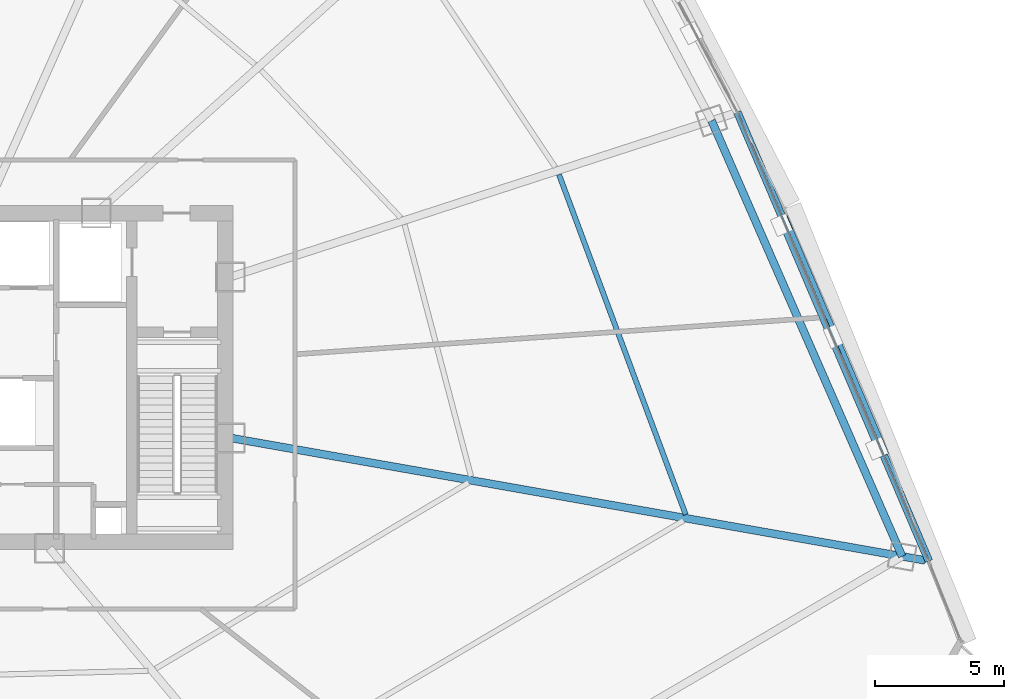
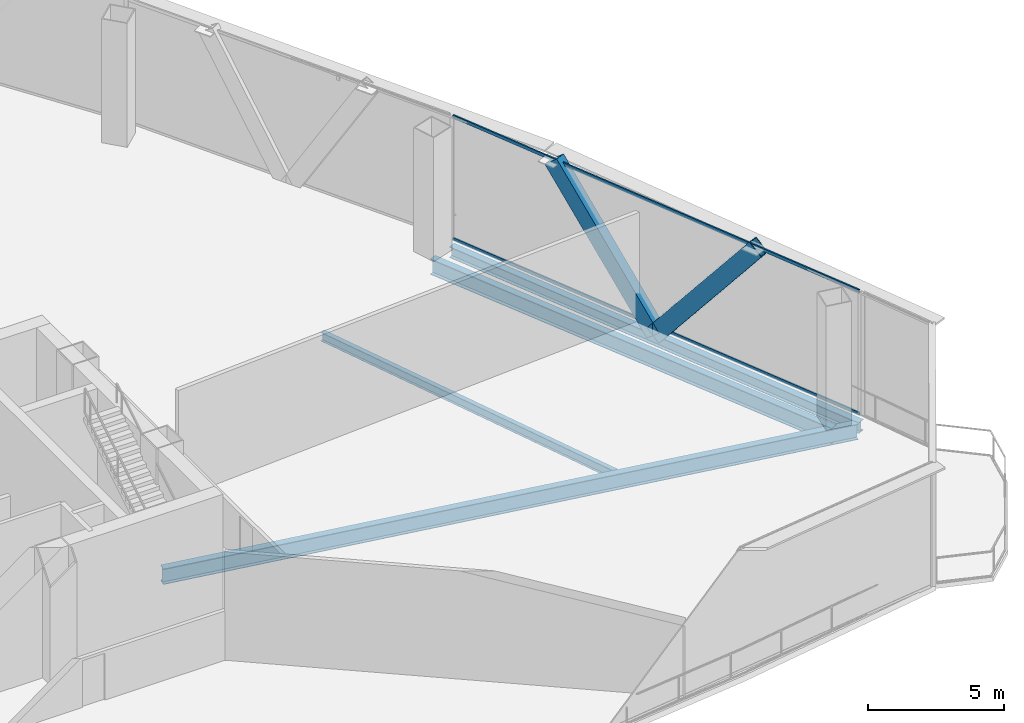
# One storey, part 22 of 36: 4 beams, 4 members, 1 element without a shape of its own.
"""IFC4 building model written with IfcOpenShell, lengths in metres."""

from ifc_helpers import new_model, si_unit, direction, frame, origin, origin_2d, place, context, subcontext, project, spatial, hollow_rectangle, i_section, extrude, source, transform, mapped, material, layer, layer_set, material_profile, profile_set, type_object, element, aggregate, save


model = new_model("IFC4")

# Units and contexts
model_context = context("Model", 3, precision=1e-05, world=origin(), true_north=direction((0.0, 1.0)))
body_context = subcontext(model_context, "Body", "Model", "MODEL_VIEW")
ifc_project = project(units=[si_unit("LENGTHUNIT", "METRE"), si_unit("AREAUNIT", "SQUARE_METRE"), si_unit("VOLUMEUNIT", "CUBIC_METRE"), si_unit("PLANEANGLEUNIT", "RADIAN"), si_unit("MASSUNIT", "GRAM", prefix="KILO"), si_unit("THERMODYNAMICTEMPERATUREUNIT", "KELVIN"), si_unit("POWERUNIT", "WATT")], contexts=[model_context])

# Site, building, storey
site_placement = place(None, origin())
site = spatial("IfcSite", under=ifc_project, at=site_placement, CompositionType="ELEMENT")
building_placement = place(site_placement, origin())
building = spatial("IfcBuilding", under=site, at=building_placement, Name="Yunzhuo Pagoda Commons", CompositionType="ELEMENT")
storey_placement = place(building_placement, frame((0.0, 0.0, 119.179931640625)))
storey = spatial("IfcBuildingStorey", under=building, at=storey_placement, Name="L30", CompositionType="ELEMENT", Elevation=119.179931640625)

# Beams
ifc_material_1 = material(Name="Structural steel Q355B", Category="steel")
ifc_material_profile_1 = material_profile(ifc_material_1, i_section(OverallWidth=0.300048828125, OverallDepth=0.699951171875, WebThickness=0.012939453125, FlangeThickness=0.02392578125, at=origin_2d()), Name="Structural steel Q355B")
ifc_profile_set_1 = profile_set([ifc_material_profile_1], Name="Structural steel Q355B")
beam_type_1 = type_object("IfcBeamType", Name="B-RG1 Beam HN 700x300x13x24", PredefinedType="BEAM", material=ifc_profile_set_1)
shared_shape_1 = source(origin(), body_context, "Body", "SweptSolid", [
    extrude(i_section(OverallWidth=0.300048828125, OverallDepth=0.699951171875, WebThickness=0.012939453125, FlangeThickness=0.02392578125, at=origin_2d()), origin(), (0.0, 0.0, 1.0), 18.37158203125),
])
beam_1_placement = place(storey_placement, frame((86.352783203125, 26.9375, -0.6298828125), z_axis=(-0.400729599795, 0.916196369698, 0.0), x_axis=(-0.916196369698, -0.400729599795, 0.0)))
element("IfcBeam", 1, at=beam_1_placement, inside=storey, type_object=beam_type_1, Name="L30 column-ring beam 5", PredefinedType="BEAM", context=body_context, shape_type="MappedRepresentation", body=[
    mapped(shared_shape_1, transform((0.0, 0.0, 0.0), scale=1.0)),
])
ifc_material_profile_2 = material_profile(ifc_material_1, i_section(OverallWidth=0.199951171875, OverallDepth=0.39990234375, WebThickness=0.008056640625, FlangeThickness=0.012939453125, at=origin_2d()), Name="Structural steel Q355B")
ifc_profile_set_2 = profile_set([ifc_material_profile_2], Name="Structural steel Q355B")
beam_type_2 = type_object("IfcBeamType", Name="B-JS1 Joist HN 400x200x8x13", PredefinedType="JOIST", material=ifc_profile_set_2)
shared_shape_2 = source(origin(), body_context, "Body", "SweptSolid", [
    extrude(i_section(OverallWidth=0.199951171875, OverallDepth=0.39990234375, WebThickness=0.008056640625, FlangeThickness=0.012939453125, at=origin_2d()), origin(), (0.0, 0.0, 1.0), 14.01904296875),
])
beam_2_placement = place(storey_placement, frame((77.992431640625, 28.55078125, -0.47998046875), z_axis=(-0.349168392993, 0.937059994523, 0.0), x_axis=(-0.937059994523, -0.349168392993, 0.0)))
element("IfcBeam", 2, at=beam_2_placement, inside=storey, type_object=beam_type_2, Name="L30 composite ring joist 2.5", PredefinedType="JOIST", context=body_context, shape_type="MappedRepresentation", body=[
    mapped(shared_shape_2, transform((0.0, 0.0, 0.0), scale=1.0)),
])
shared_shape_3 = source(origin(), body_context, "Body", "SweptSolid", [
    extrude(i_section(OverallWidth=0.300048828125, OverallDepth=0.699951171875, WebThickness=0.012939453125, FlangeThickness=0.02392578125, at=origin_2d()), origin(), (0.0, 0.0, 1.0), 27.248046875),
])
beam_3_placement = place(storey_placement, frame((87.234130859375, 26.781982421875, -0.6298828125), z_axis=(-0.984808714366, 0.173642725469, 0.0), x_axis=(-0.173642725469, -0.984808714366, 0.0)))
element("IfcBeam", 3, at=beam_3_placement, inside=storey, type_object=beam_type_1, Name="L30 radial floor girder F2C1", PredefinedType="BEAM", context=body_context, shape_type="MappedRepresentation", body=[
    mapped(shared_shape_3, transform((0.0, 0.0, 0.0), scale=1.0)),
])
ifc_material_profile_3 = material_profile(ifc_material_1, i_section(OverallWidth=0.300048828125, OverallDepth=0.488037109375, WebThickness=0.010986328125, FlangeThickness=0.01806640625, at=origin_2d()), Name="Structural steel Q355B")
ifc_profile_set_3 = profile_set([ifc_material_profile_3], Name="Structural steel Q355B")
beam_type_3 = type_object("IfcBeamType", Name="B-SP1 Beam HM 488x300x11x18", PredefinedType="BEAM", material=ifc_profile_set_3)
shared_shape_4 = source(origin(), body_context, "Body", "SweptSolid", [
    extrude(i_section(OverallWidth=0.300048828125, OverallDepth=0.488037109375, WebThickness=0.010986328125, FlangeThickness=0.01806640625, at=origin_2d()), origin(), (0.0, 0.0, 1.0), 18.850830078125),
])
beam_4_placement = place(storey_placement, frame((87.38671875, 26.755126953125, -0.52392578125), z_axis=(-0.392407275961, 0.919791568657, 0.0), x_axis=(-0.919791568657, -0.392407275961, 0.0)))
element("IfcBeam", 4, at=beam_4_placement, inside=storey, type_object=beam_type_3, Name="L30 facade edge spandrel beam F2.1", PredefinedType="BEAM", context=body_context, shape_type="MappedRepresentation", body=[
    mapped(shared_shape_4, transform((0.0, 0.0, 0.0), scale=1.0)),
])

# Members
ifc_material_2 = material(Name="Structural steel Q420B", Category="steel")
ifc_material_profile_4 = material_profile(ifc_material_2, hollow_rectangle(XDim=0.419921875, YDim=0.719970703125, WallThickness=0.028076171875, at=origin_2d()), Name="Structural steel Q420B")
ifc_profile_set_4 = profile_set([ifc_material_profile_4], Name="Structural steel Q420B")
member_type_1 = type_object("IfcMemberType", Name="M-DL1 Brace BOX 720x420x28", PredefinedType="BRACE", material=ifc_profile_set_4)
shared_shape_5 = source(origin(), body_context, "Body", "SweptSolid", [
    extrude(hollow_rectangle(XDim=0.419921875, YDim=0.719970703125, WallThickness=0.028076171875, at=origin_2d()), origin(), (0.0, 0.0, 1.0), 7.512451171875),
])
member_1_placement = place(storey_placement, frame((83.68798828125, 35.4248046875, -0.280029296875), z_axis=(0.246206582288, -0.577038552681, 0.778722561351), x_axis=(0.91977617363, 0.392443359508, 0.0)))
element("IfcMember", 5, at=member_1_placement, inside=storey, type_object=member_type_1, Name="L30 facade diamond brace F2.1L", PredefinedType="BRACE", context=body_context, shape_type="MappedRepresentation", body=[
    mapped(shared_shape_5, transform((0.0, 0.0, 0.0), scale=1.0)),
])
shared_shape_6 = source(origin(), body_context, "Body", "SweptSolid", [
    extrude(hollow_rectangle(XDim=0.419921875, YDim=0.719970703125, WallThickness=0.028076171875, at=origin_2d()), origin(), (0.0, 0.0, 1.0), 7.511962890625),
])
member_2_placement = place(storey_placement, frame((83.68798828125, 35.4248046875, -0.280029296875), z_axis=(-0.246154756396, 0.577004428975, 0.778764229306), x_axis=(-0.919797615371, -0.392393102333, 0.0)))
element("IfcMember", 6, at=member_2_placement, inside=storey, type_object=member_type_1, Name="L30 facade diamond brace F2.1R", PredefinedType="BRACE", context=body_context, shape_type="MappedRepresentation", body=[
    mapped(shared_shape_6, transform((0.0, 0.0, 0.0), scale=1.0)),
])

# Curtain wall, members
ifc_material_3 = material(Name="Anodized aluminium 6063-T6", Category="aluminium")
ifc_layer = layer(ifc_material_3, 0.1650390625)
ifc_layer_set = layer_set([ifc_layer], Name="Anodized aluminium 6063-T6")
curtain_wall_type = type_object("IfcCurtainWallType", Name="CW-LOW Low-Zone Ribbon Curtain Wall", PredefinedType="NOTDEFINED", material=ifc_layer_set)
curtain_wall_placement = place(storey_placement, origin())
curtain_wall = element("IfcCurtainWall", 7, at=curtain_wall_placement, inside=storey, type_object=curtain_wall_type, Name="L30 curtain wall CW-L30-F2B2", PredefinedType="NOTDEFINED")
ifc_material_profile_5 = material_profile(ifc_material_3, hollow_rectangle(XDim=0.06005859375, YDim=0.139892578125, WallThickness=0.00341796875, at=origin_2d()), Name="Anodized aluminium 6063-T6")
ifc_profile_set_5 = profile_set([ifc_material_profile_5], Name="Anodized aluminium 6063-T6")
member_type_2 = type_object("IfcMemberType", Name="CW-LOW-T Transom RHS 140x60x3.5", PredefinedType="USERDEFINED", material=ifc_profile_set_5)
shared_shape_7 = source(origin(), body_context, "Body", "SweptSolid", [
    extrude(hollow_rectangle(XDim=0.06005859375, YDim=0.139892578125, WallThickness=0.00341796875, at=origin_2d()), origin(), (0.0, 0.0, 1.0), 18.720947265625),
])
member_3_placement = place(storey_placement, frame((87.361328125, 26.81494140625, 0.030029296875), z_axis=(-0.392418826206, 0.919786640933, 0.0), x_axis=(-0.919786640933, -0.392418826206, 0.0)))
member_3 = element("IfcMember", 8, at=member_3_placement, type_object=member_type_2, Name="CW transom 1.1", ObjectType="TRANSOM", PredefinedType="USERDEFINED", context=body_context, shape_type="MappedRepresentation", body=[
    mapped(shared_shape_7, transform((0.0, 0.0, 0.0), scale=1.0)),
])
member_4_placement = place(storey_placement, frame((87.361328125, 26.81494140625, 5.5400390625), z_axis=(-0.392418826206, 0.919786640933, 0.0), x_axis=(-0.919786640933, -0.392418826206, 0.0)))
member_4 = element("IfcMember", 9, at=member_4_placement, type_object=member_type_2, Name="CW transom 1.2", ObjectType="TRANSOM", PredefinedType="USERDEFINED", context=body_context, shape_type="MappedRepresentation", body=[
    mapped(shared_shape_7, transform((0.0, 0.0, 0.0), scale=1.0)),
])
aggregate(curtain_wall, [member_3, member_4])

save(model, "model.ifc")
